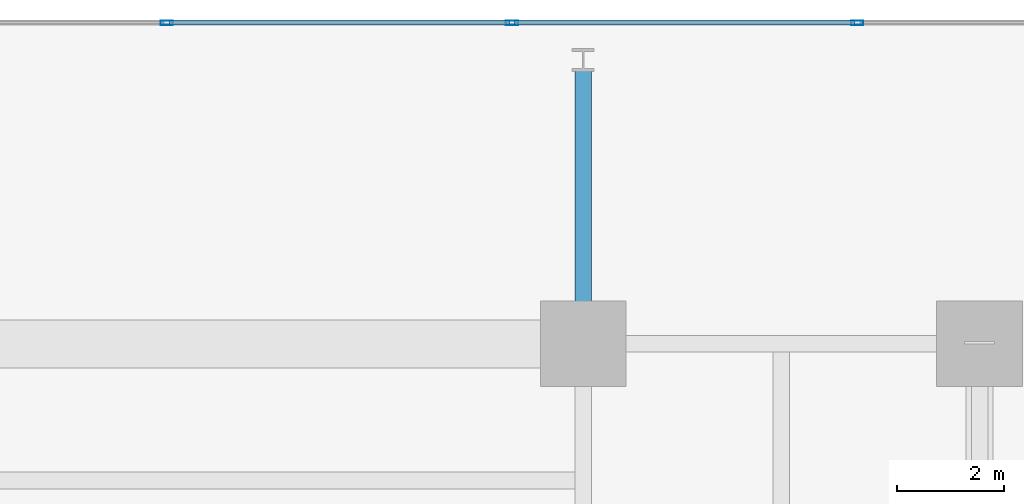
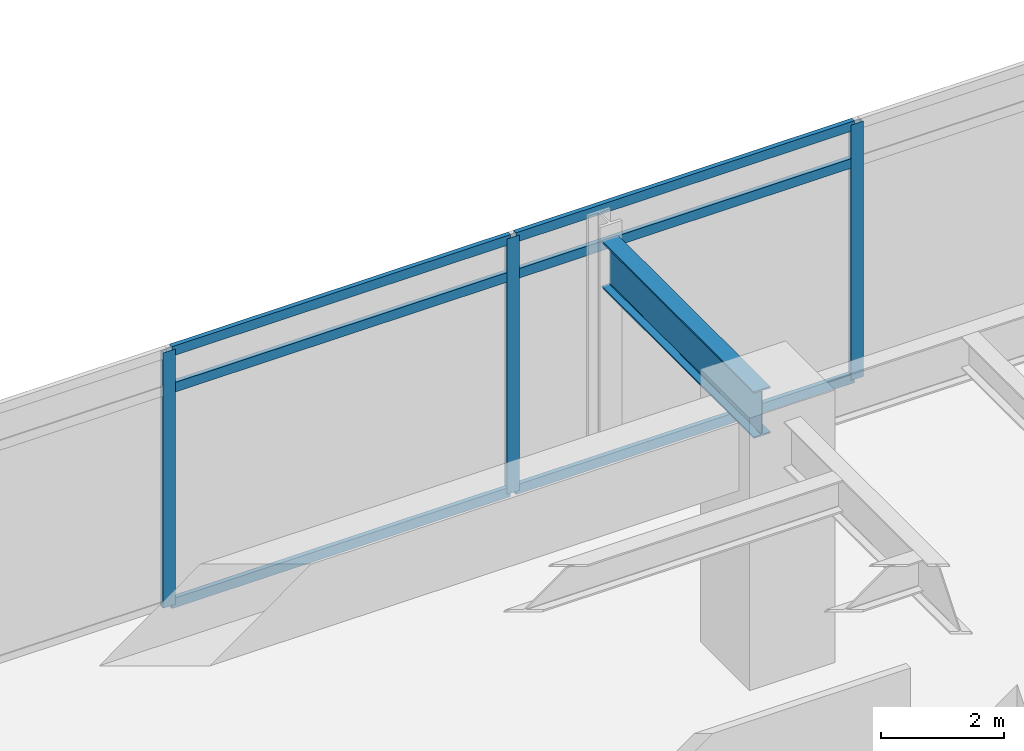
# One storey, part 19 of 26: 9 members, 1 beam, 1 element without a shape of its own.
"""IFC4 building model written with IfcOpenShell, lengths in metres."""

from ifc_helpers import new_model, si_unit, direction, frame, origin, origin_2d, place, context, subcontext, project, spatial, hollow_rectangle, i_section, extrude, material, material_profile, profile_set, type_object, element, aggregate, save


model = new_model("IFC4")

# Units and contexts
model_context = context("Model", 3, precision=1e-05, world=origin(), true_north=direction((0.0, 1.0)))
body_context = subcontext(model_context, "Body", "Model", "MODEL_VIEW")
ifc_project = project(units=[si_unit("LENGTHUNIT", "METRE"), si_unit("AREAUNIT", "SQUARE_METRE"), si_unit("VOLUMEUNIT", "CUBIC_METRE"), si_unit("PLANEANGLEUNIT", "RADIAN"), si_unit("MASSUNIT", "GRAM", prefix="KILO")], contexts=[model_context])

# Site, building, storey
site_placement = place(None, origin())
site = spatial("IfcSite", under=ifc_project, at=site_placement, CompositionType="ELEMENT")
building_placement = place(site_placement, origin())
building = spatial("IfcBuilding", under=site, at=building_placement, Name="Kovane Verandah Tower", CompositionType="ELEMENT")
storey_placement = place(building_placement, frame((0.0, 0.0, 113.0)))
storey = spatial("IfcBuildingStorey", under=building, at=storey_placement, Name="L26", CompositionType="ELEMENT", Elevation=113.0)

# Beam
ifc_material_1 = material(Name="Steel S460", Category="steel")
ifc_material_profile_1 = material_profile(ifc_material_1, i_section(OverallWidth=0.3076171875, OverallDepth=0.926513671875, WebThickness=0.01953125, FlangeThickness=0.031982421875, FilletRadius=0.01904296875, at=origin_2d()), Name="UB914x305x289")
ifc_profile_set_1 = profile_set([ifc_material_profile_1], Name="Steel S460")
beam_type = type_object("IfcBeamType", Name="BM-UB914x289", PredefinedType="BEAM", material=ifc_profile_set_1)
beam_placement = place(storey_placement, frame((51.0, 44.3798828125, 4.63671875), z_axis=(0.0, 1.0, 0.0), x_axis=(-1.0, 0.0, 0.0)))
element("IfcBeam", 1, at=beam_placement, inside=storey, type_object=beam_type, Name="L26 Primary Tower Girder G-VN2", PredefinedType="BEAM", context=body_context, shape_type="SweptSolid", body=[
    extrude(i_section(OverallWidth=0.3076171875, OverallDepth=0.926513671875, WebThickness=0.01953125, FlangeThickness=0.031982421875, FilletRadius=0.01904296875, at=origin_2d()), origin(), (0.0, 0.0, 1.0), 4.940185546875),
])

# Curtain wall, members
ifc_material_2 = material(Name="Champagne Anodised Aluminium Frame with Low-E Clear Laminated Glass", Category="aluminium")
curtain_wall_type = type_object("IfcCurtainWallType", Name="CW-SYS-02-LOW", PredefinedType="NOTDEFINED", material=ifc_material_2)
curtain_wall_placement = place(storey_placement, origin())
curtain_wall = element("IfcCurtainWall", 2, at=curtain_wall_placement, inside=storey, type_object=curtain_wall_type, Name="L26 N Unitised Curtain Wall", PredefinedType="NOTDEFINED")
ifc_material_3 = material(Name="Champagne Anodised Aluminium 6063-T6", Category="aluminium")
ifc_material_profile_2 = material_profile(ifc_material_3, hollow_rectangle(XDim=0.0849609375, YDim=0.22998046875, WallThickness=0.00390625, at=origin_2d()), Name="AL85x230x4")
ifc_profile_set_2 = profile_set([ifc_material_profile_2], Name="Champagne Anodised Aluminium 6063-T6")
member_type_1 = type_object("IfcMemberType", Name="CW-MUL-85x230", PredefinedType="MULLION", material=ifc_profile_set_2)
member_1_placement = place(storey_placement, frame((56.1171875, 50.19482421875, 0.02001953125), z_axis=(0.0, 0.0, 1.0), x_axis=(0.0, 1.0, 0.0)))
member_1 = element("IfcMember", 3, at=member_1_placement, type_object=member_type_1, Name="L26 N Unitised Curtain Wall Mullion 2", PredefinedType="MULLION", context=body_context, shape_type="SweptSolid", body=[
    extrude(hollow_rectangle(XDim=0.0849609375, YDim=0.22998046875, WallThickness=0.00390625, at=origin_2d()), origin(), (0.0, 0.0, 1.0), 5.06005859375),
])
member_2_placement = place(storey_placement, frame((49.67041015625, 50.19482421875, 0.02001953125), z_axis=(0.0, 0.0, 1.0), x_axis=(0.0, 1.0, 0.0)))
member_2 = element("IfcMember", 4, at=member_2_placement, type_object=member_type_1, Name="L26 N Unitised Curtain Wall Mullion 3", PredefinedType="MULLION", context=body_context, shape_type="SweptSolid", body=[
    extrude(hollow_rectangle(XDim=0.0849609375, YDim=0.22998046875, WallThickness=0.00390625, at=origin_2d()), origin(), (0.0, 0.0, 1.0), 5.06005859375),
])
member_3_placement = place(storey_placement, frame((43.223388671875, 50.19482421875, 0.02001953125), z_axis=(0.0, 0.0, 1.0), x_axis=(0.0, 1.0, 0.0)))
member_3 = element("IfcMember", 5, at=member_3_placement, type_object=member_type_1, Name="L26 N Unitised Curtain Wall Mullion 4", PredefinedType="MULLION", context=body_context, shape_type="SweptSolid", body=[
    extrude(hollow_rectangle(XDim=0.0849609375, YDim=0.22998046875, WallThickness=0.00390625, at=origin_2d()), origin(), (0.0, 0.0, 1.0), 5.06005859375),
])
ifc_material_profile_3 = material_profile(ifc_material_3, hollow_rectangle(XDim=0.0849609375, YDim=0.18994140625, WallThickness=0.00390625, at=origin_2d()), Name="AL85x190x4")
ifc_profile_set_3 = profile_set([ifc_material_profile_3], Name="Champagne Anodised Aluminium 6063-T6")
member_type_2 = type_object("IfcMemberType", Name="CW-TRN-85x190", PredefinedType="USERDEFINED", material=ifc_profile_set_3)
member_4_placement = place(storey_placement, frame((56.067138671875, 50.19482421875, 0.050048828125), z_axis=(-1.0, 0.0, 0.0), x_axis=(0.0, -1.0, 0.0)))
member_4 = element("IfcMember", 6, at=member_4_placement, type_object=member_type_2, Name="L26 N Unitised Curtain Wall Transom TB Bay 2", ObjectType="TRANSOM", PredefinedType="USERDEFINED", context=body_context, shape_type="SweptSolid", body=[
    extrude(hollow_rectangle(XDim=0.0849609375, YDim=0.18994140625, WallThickness=0.00390625, at=origin_2d()), origin(), (0.0, 0.0, 1.0), 6.346923828125),
])
member_5_placement = place(storey_placement, frame((56.067138671875, 50.19482421875, 4.320068359375), z_axis=(-1.0, 0.0, 0.0), x_axis=(0.0, -1.0, 0.0)))
member_5 = element("IfcMember", 7, at=member_5_placement, type_object=member_type_2, Name="L26 N Unitised Curtain Wall Transom TM Bay 2", ObjectType="TRANSOM", PredefinedType="USERDEFINED", context=body_context, shape_type="SweptSolid", body=[
    extrude(hollow_rectangle(XDim=0.0849609375, YDim=0.18994140625, WallThickness=0.00390625, at=origin_2d()), origin(), (0.0, 0.0, 1.0), 6.346923828125),
])
member_6_placement = place(storey_placement, frame((56.067138671875, 50.19482421875, 5.050048828125), z_axis=(-1.0, 0.0, 0.0), x_axis=(0.0, -1.0, 0.0)))
member_6 = element("IfcMember", 8, at=member_6_placement, type_object=member_type_2, Name="L26 N Unitised Curtain Wall Transom TT Bay 2", ObjectType="TRANSOM", PredefinedType="USERDEFINED", context=body_context, shape_type="SweptSolid", body=[
    extrude(hollow_rectangle(XDim=0.0849609375, YDim=0.18994140625, WallThickness=0.00390625, at=origin_2d()), origin(), (0.0, 0.0, 1.0), 6.346923828125),
])
member_7_placement = place(storey_placement, frame((49.620361328125, 50.19482421875, 0.050048828125), z_axis=(-1.0, 0.0, 0.0), x_axis=(0.0, -1.0, 0.0)))
member_7 = element("IfcMember", 9, at=member_7_placement, type_object=member_type_2, Name="L26 N Unitised Curtain Wall Transom TB Bay 3", ObjectType="TRANSOM", PredefinedType="USERDEFINED", context=body_context, shape_type="SweptSolid", body=[
    extrude(hollow_rectangle(XDim=0.0849609375, YDim=0.18994140625, WallThickness=0.00390625, at=origin_2d()), origin(), (0.0, 0.0, 1.0), 6.346923828125),
])
member_8_placement = place(storey_placement, frame((49.620361328125, 50.19482421875, 4.320068359375), z_axis=(-1.0, 0.0, 0.0), x_axis=(0.0, -1.0, 0.0)))
member_8 = element("IfcMember", 10, at=member_8_placement, type_object=member_type_2, Name="L26 N Unitised Curtain Wall Transom TM Bay 3", ObjectType="TRANSOM", PredefinedType="USERDEFINED", context=body_context, shape_type="SweptSolid", body=[
    extrude(hollow_rectangle(XDim=0.0849609375, YDim=0.18994140625, WallThickness=0.00390625, at=origin_2d()), origin(), (0.0, 0.0, 1.0), 6.346923828125),
])
member_9_placement = place(storey_placement, frame((49.620361328125, 50.19482421875, 5.050048828125), z_axis=(-1.0, 0.0, 0.0), x_axis=(0.0, -1.0, 0.0)))
member_9 = element("IfcMember", 11, at=member_9_placement, type_object=member_type_2, Name="L26 N Unitised Curtain Wall Transom TT Bay 3", ObjectType="TRANSOM", PredefinedType="USERDEFINED", context=body_context, shape_type="SweptSolid", body=[
    extrude(hollow_rectangle(XDim=0.0849609375, YDim=0.18994140625, WallThickness=0.00390625, at=origin_2d()), origin(), (0.0, 0.0, 1.0), 6.346923828125),
])
aggregate(curtain_wall, [member_1, member_2, member_3, member_4, member_5, member_6, member_7, member_8, member_9])

save(model, "model.ifc")
